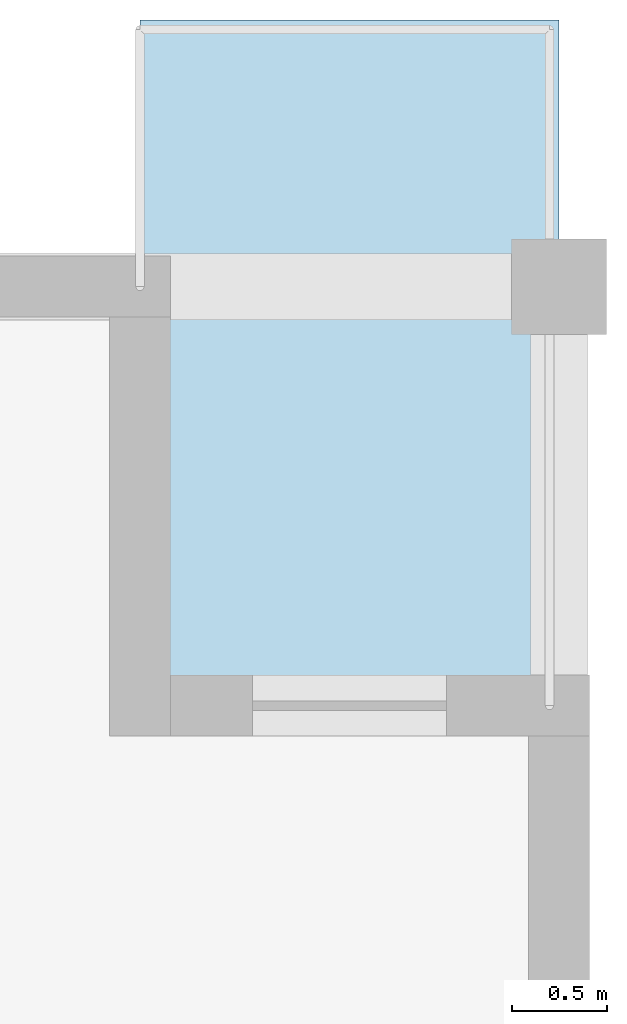
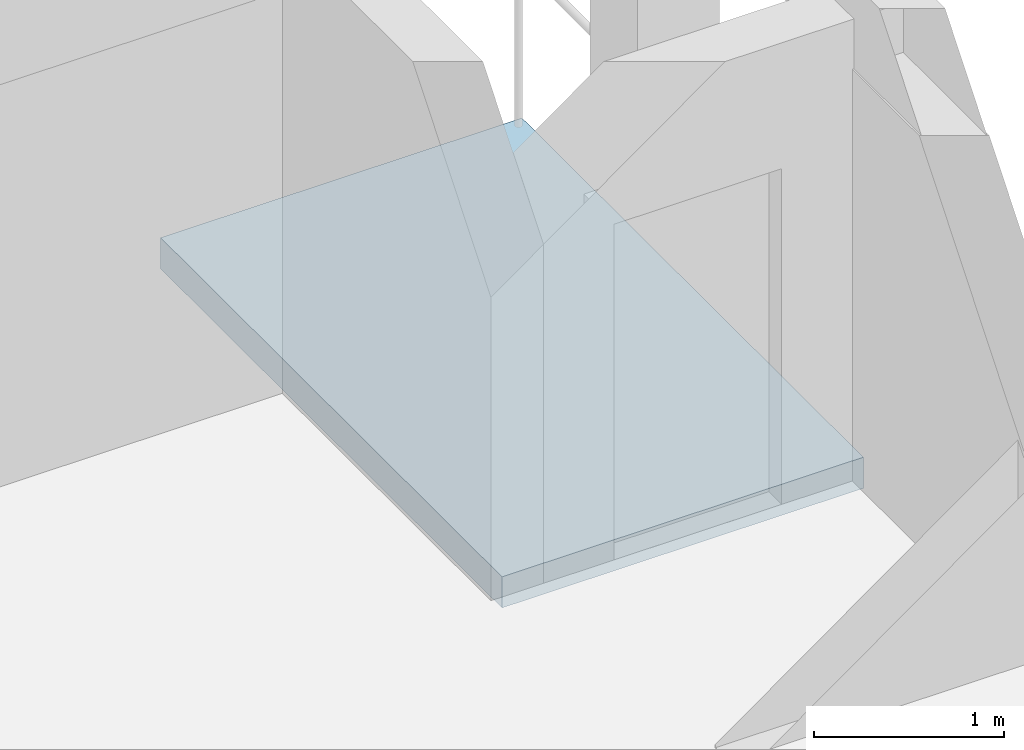
# One storey, part 26 of 53: 1 slab.
"""IFC4 building model written with IfcOpenShell, lengths in metres."""

import ifcopenshell
import ifcopenshell.guid

model = None  # the IFC model being written
_history = None  # IfcOwnerHistory: only IFC2X3 demands one
_inside = {}  # id of a spatial element -> (the spatial element, [elements in it])
_under = {}  # id of a project, library or spatial element -> (it, [spatial elements below it])
_declared = {}  # id of a project -> (the project, [libraries it declares])
_typed = {}  # id of a type object -> (the type object, [elements of that type])
_made_of = {}  # id of a material, layer set ... -> (it, [elements and type objects made of it])


def new_model(schema):
    """Start an empty IFC model of exactly this schema.

    Asked for "IFC4X3", IfcOpenShell would pick the latest addendum, in which some entities
    have other attributes; the version numbers below select the first issue.
    IFC2X3 requires an IfcOwnerHistory on every rooted entity: one is made here for all.
    """
    global model, _history
    if schema == "IFC4X3":
        model = ifcopenshell.file(schema_version=(4, 3, 0, 0))
    else:
        model = ifcopenshell.file(schema=schema)
    _inside.clear()
    _under.clear()
    _declared.clear()
    _typed.clear()
    _made_of.clear()
    _history = None
    if model.schema == "IFC2X3":
        org = make("IfcOrganization", Name="unknown")
        user = make(
            "IfcPersonAndOrganization",
            ThePerson=make("IfcPerson", FamilyName="unknown"),
            TheOrganization=org,
        )
        app = make(
            "IfcApplication",
            ApplicationDeveloper=org,
            Version="unknown",
            ApplicationFullName="unknown",
            ApplicationIdentifier="unknown",
        )
        _history = make(
            "IfcOwnerHistory",
            OwningUser=user,
            OwningApplication=app,
            ChangeAction="ADDED",
            CreationDate=0,
        )
    return model


def make(cls, **values):
    """One entity of the class cls with the attributes given. An attribute that is None is left unset."""
    return model.create_entity(
        cls, **{name: value for name, value in values.items() if value is not None}
    )


def rooted(cls, **values):
    """An entity with a GlobalId (a new one), such as an element, a storey or a relation."""
    return make(cls, GlobalId=ifcopenshell.guid.new(), OwnerHistory=_history, **values)


def si_unit(unit_type, name, prefix=None):
    """IfcSIUnit, for example si_unit("LENGTHUNIT", "METRE", prefix="MILLI")."""
    return make("IfcSIUnit", UnitType=unit_type, Prefix=prefix, Name=name)


def assignment(units):
    """IfcUnitAssignment: the units of a project."""
    return None if units is None else make("IfcUnitAssignment", Units=units)


def point(xyz):
    """IfcCartesianPoint."""
    return None if xyz is None else make("IfcCartesianPoint", Coordinates=xyz)


def direction(xyz):
    """IfcDirection."""
    return None if xyz is None else make("IfcDirection", DirectionRatios=xyz)


def frame(location, z_axis=None, x_axis=None):
    """IfcAxis2Placement3D, a coordinate frame: its origin and axes. An axis left out is left unset."""
    return make(
        "IfcAxis2Placement3D",
        Location=point(location),
        Axis=direction(z_axis),
        RefDirection=direction(x_axis),
    )


def origin():
    """The frame at (0, 0, 0) with its axes left unset."""
    return frame((0.0, 0.0, 0.0))


def place(relative_to, where):
    """IfcLocalPlacement: puts the frame where relative to a parent placement (None: the world)."""
    return make(
        "IfcLocalPlacement", PlacementRelTo=relative_to, RelativePlacement=where
    )


def context(
    kind, dimensions, precision=None, world=None, true_north=None, identifier=None
):
    """IfcGeometricRepresentationContext, for example the 3D "Model" context."""
    return make(
        "IfcGeometricRepresentationContext",
        ContextIdentifier=identifier,
        ContextType=kind,
        CoordinateSpaceDimension=dimensions,
        Precision=precision,
        WorldCoordinateSystem=world,
        TrueNorth=true_north,
    )


def subcontext(parent, identifier, kind, view, scale=None):
    """IfcGeometricRepresentationSubContext, for example "Body" below "Model"."""
    return make(
        "IfcGeometricRepresentationSubContext",
        ContextIdentifier=identifier,
        ContextType=kind,
        ParentContext=parent,
        TargetScale=scale,
        TargetView=view,
    )


def project(units=None, contexts=None):
    """IfcProject with its units and contexts."""
    return rooted(
        "IfcProject",
        Name="project",
        RepresentationContexts=contexts,
        UnitsInContext=assignment(units),
    )


def spatial(cls, under=None, at=None, **own):
    """A site, building, storey or space (cls), placed at a placement, below another one or the project."""
    s = rooted(cls, ObjectPlacement=at, **own)
    if under is not None:
        _under.setdefault(under.id(), (under, []))[1].append(s)
    return s


def polyline(points):
    """IfcPolyline through the points."""
    return make("IfcPolyline", Points=[point(p) for p in points])


def outline(outer, holes=None, kind="AREA"):
    """IfcArbitraryClosedProfileDef: a profile drawn as a closed curve; with holes, ...WithVoids."""
    if holes is None:
        return make("IfcArbitraryClosedProfileDef", ProfileType=kind, OuterCurve=outer)
    return make(
        "IfcArbitraryProfileDefWithVoids",
        ProfileType=kind,
        OuterCurve=outer,
        InnerCurves=holes,
    )


def extrude(swept, where, along, depth):
    """IfcExtrudedAreaSolid: the profile swept, set in the frame where, extruded along a direction by depth."""
    return make(
        "IfcExtrudedAreaSolid",
        SweptArea=swept,
        Position=where,
        ExtrudedDirection=direction(along),
        Depth=depth,
    )


def shape(context_of_items, identifier, shape_type, items):
    """IfcShapeRepresentation: the items that make up one representation, for example the "Body"."""
    return make(
        "IfcShapeRepresentation",
        ContextOfItems=context_of_items,
        RepresentationIdentifier=identifier,
        RepresentationType=shape_type,
        Items=items,
    )


def material(Name=None, Category=None):
    """IfcMaterial."""
    return make("IfcMaterial", Name=Name, Category=Category)


def layer(
    of_material, thickness, ventilated=None, Name=None, Category=None, Priority=None
):
    """IfcMaterialLayer: one layer of a wall or slab, of a material (None: an air gap)."""
    return make(
        "IfcMaterialLayer",
        Material=of_material,
        LayerThickness=thickness,
        IsVentilated=ventilated,
        Name=Name,
        Category=Category,
        Priority=Priority,
    )


def layer_set(layers, Name=None):
    """IfcMaterialLayerSet."""
    return make("IfcMaterialLayerSet", MaterialLayers=layers, LayerSetName=Name)


def made_of(thing, what):
    """Note that an element or type object is made of a material, layer set ...; save() writes the relation."""
    if what is not None:
        _made_of.setdefault(what.id(), (what, []))[1].append(thing)
    return thing


def type_object(cls, material=None, **own):
    """A type object (cls), such as IfcWallType, which elements share."""
    return made_of(rooted(cls, **own), material)


def element(
    cls,
    number,
    at=None,
    inside=None,
    cuts=None,
    type_object=None,
    material=None,
    context=None,
    identifier="Body",
    shape_type=None,
    held_by="IfcProductDefinitionShape",
    body=None,
    shapes=None,
    **own,
):
    """One element of the class cls, such as IfcWall. Its Tag is "e" and its number.

    at: its placement. inside: the storey or other place that contains it. cuts: it is an
    opening in that element (IfcRelVoidsElement). A single representation is given by context,
    identifier, shape_type and body (its items); several are given by shapes. held_by: the class
    of the entity that holds the representations. save() writes the other relations.
    """
    e = rooted(cls, Tag="e%d" % number, ObjectPlacement=at, **own)
    if body is not None:
        shapes = [shape(context, identifier, shape_type, body)]
    if shapes is not None:
        e.Representation = make(held_by, Representations=shapes)
    if inside is not None:
        _inside.setdefault(inside.id(), (inside, []))[1].append(e)
    if cuts is not None:
        rooted(
            "IfcRelVoidsElement", RelatingBuildingElement=cuts, RelatedOpeningElement=e
        )
    if type_object is not None:
        _typed.setdefault(type_object.id(), (type_object, []))[1].append(e)
    return made_of(e, material)


def aggregate(whole, parts):
    """IfcRelAggregates: a whole, such as a stair, and the parts it consists of."""
    return rooted("IfcRelAggregates", RelatingObject=whole, RelatedObjects=parts)


def save(model, path):
    """Write the relations noted so far, then the file.

    IfcRelAggregates (storeys below a building ...), IfcRelContainedInSpatialStructure (elements
    in a storey), IfcRelDefinesByType, IfcRelAssociatesMaterial and IfcRelDeclares: one each for
    every whole, place, type object, material and project.
    """
    for whole, parts in _under.values():
        aggregate(whole, parts)
    for where, things in _inside.values():
        rooted(
            "IfcRelContainedInSpatialStructure",
            RelatedElements=things,
            RelatingStructure=where,
        )
    for kind, things in _typed.values():
        rooted("IfcRelDefinesByType", RelatedObjects=things, RelatingType=kind)
    for what, things in _made_of.values():
        rooted("IfcRelAssociatesMaterial", RelatedObjects=things, RelatingMaterial=what)
    for by, libraries in _declared.values():
        rooted("IfcRelDeclares", RelatingContext=by, RelatedDefinitions=libraries)
    model.write(path)


model = new_model("IFC4")

# Units and contexts
model_context = context("Model", 3, precision=1e-05, world=origin(), true_north=direction((0.0, 1.0)))
body_context = subcontext(model_context, "Body", "Model", "MODEL_VIEW")
ifc_project = project(units=[si_unit("LENGTHUNIT", "METRE"), si_unit("AREAUNIT", "SQUARE_METRE"), si_unit("VOLUMEUNIT", "CUBIC_METRE"), si_unit("PLANEANGLEUNIT", "RADIAN"), si_unit("MASSUNIT", "GRAM", prefix="KILO")], contexts=[model_context])

# Site, building, storey
site_placement = place(None, origin())
site = spatial("IfcSite", under=ifc_project, at=site_placement, CompositionType="ELEMENT")
building_placement = place(site_placement, origin())
building = spatial("IfcBuilding", under=site, at=building_placement, Name="Kernevlak Ridge Housing Community", CompositionType="ELEMENT")
storey_placement = place(building_placement, frame((0.0, 0.0, 24.39990234375)))
storey = spatial("IfcBuildingStorey", under=building, at=storey_placement, Name="L07", CompositionType="ELEMENT", Elevation=24.39990234375)

# Slab
ifc_material = material(Name="Concrete C35/45", Category="concrete")
ifc_layer = layer(ifc_material, 0.199951171875, Name="Concrete C35/45")
ifc_layer_set = layer_set([ifc_layer], Name="Concrete C35/45")
slab_type = type_object("IfcSlabType", Name="SL-05", PredefinedType="FLOOR", material=ifc_layer_set)
slab_placement = place(storey_placement, frame((0.0, 0.0, -0.199951171875)))
element("IfcSlab", 1, at=slab_placement, inside=storey, type_object=slab_type, Name="Block B L07 corner balcony deck slab", PredefinedType="FLOOR", context=body_context, shape_type="SweptSolid", body=[
    extrude(outline(polyline([(150.199951171875, 100.199951171875), (152.39990234375, 100.199951171875), (152.39990234375, 103.800048828125), (150.199951171875, 103.800048828125), (150.199951171875, 100.199951171875)])), origin(), (0.0, 0.0, 1.0), 0.199951171875),
])

save(model, "model.ifc")
